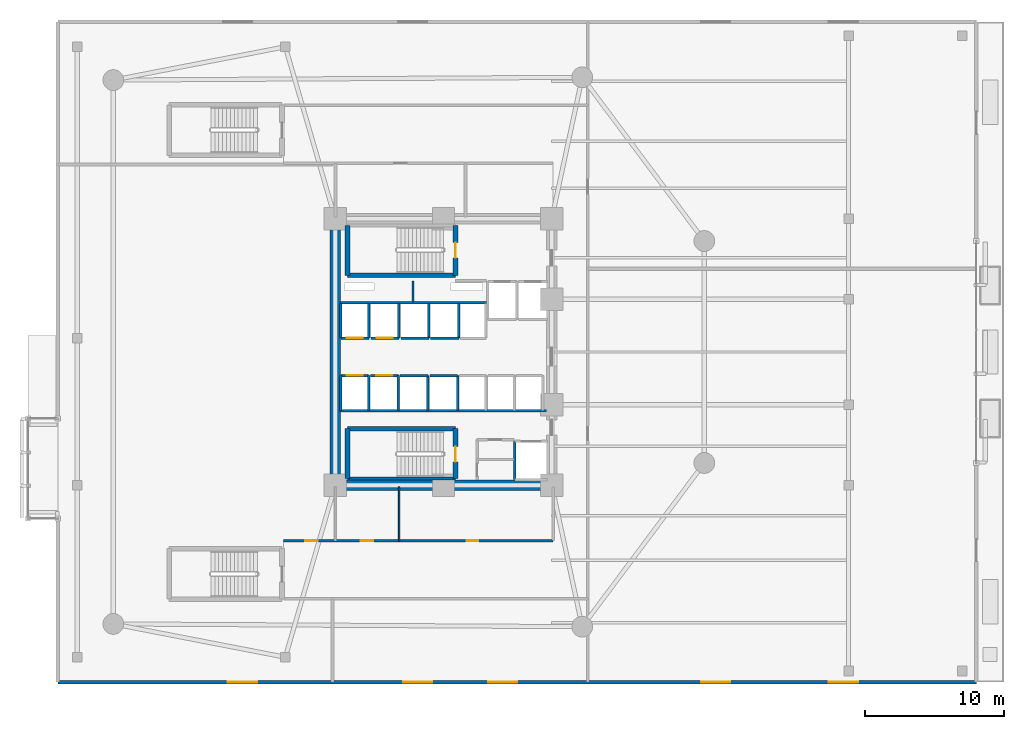
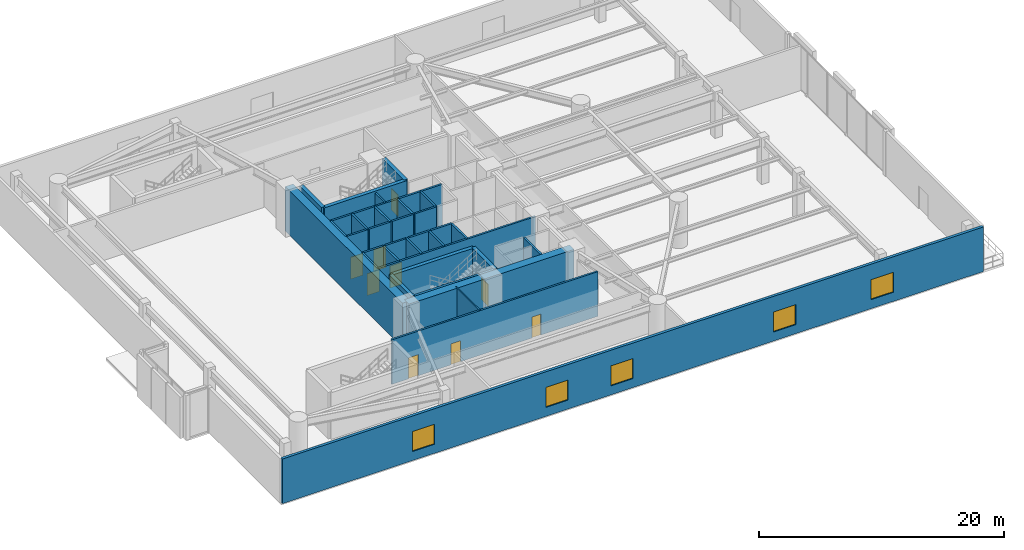
# One storey, part 9 of 15: 34 walls, 9 doors, 5 windows, 14 openings.
"""IFC4 building model written with IfcOpenShell, lengths in metres."""

from ifc_helpers import new_model, si_unit, direction, frame, frame_2d, origin, place, context, subcontext, project, spatial, rectangle, extrude, material, layer, layer_set, type_object, element, fill, save


model = new_model("IFC4")

# Units and contexts
model_context = context("Model", 3, precision=1e-05, world=origin(), true_north=direction((0.0, 1.0)))
body_context = subcontext(model_context, "Body", "Model", "MODEL_VIEW")
ifc_project = project(units=[si_unit("LENGTHUNIT", "METRE"), si_unit("AREAUNIT", "SQUARE_METRE"), si_unit("VOLUMEUNIT", "CUBIC_METRE"), si_unit("PLANEANGLEUNIT", "RADIAN"), si_unit("MASSUNIT", "GRAM", prefix="KILO")], contexts=[model_context])

# Site, building, storey
site_placement = place(None, origin())
site = spatial("IfcSite", under=ifc_project, at=site_placement, CompositionType="ELEMENT")
building_placement = place(site_placement, origin())
building = spatial("IfcBuilding", under=site, at=building_placement, Name="An Khanh Terracotta Commons", CompositionType="ELEMENT")
storey_placement = place(building_placement, frame((0.0, 0.0, 14.699951171875)))
storey = spatial("IfcBuildingStorey", under=building, at=storey_placement, Name="L04", CompositionType="ELEMENT", Elevation=14.699951171875)

# Walls
ifc_material_1 = material(Name="Concrete C70/85", Category="concrete")
ifc_layer_1 = layer(ifc_material_1, 0.75, Name="Concrete C70/85")
ifc_layer_set_1 = layer_set([ifc_layer_1], Name="Concrete C70/85")
wall_type_1 = type_object("IfcWallType", Name="WALL-CORE-750", PredefinedType="SHEAR", material=ifc_layer_set_1)
wall_1_placement = place(storey_placement, frame((21.60009765625, 14.39990234375, 0.0), z_axis=(0.0, 0.0, 1.0), x_axis=(0.0, 1.0, 0.0)))
element("IfcWall", 1, at=wall_1_placement, inside=storey, type_object=wall_type_1, Name="L04 Core Wall CWALL-L04-W", PredefinedType="SHEAR", context=body_context, shape_type="SweptSolid", body=[
    extrude(rectangle(XDim=19.2001953125, YDim=0.75, at=frame_2d((9.60009765625, 0.0))), origin(), (0.0, 0.0, 1.0), 4.449951171875),
])
wall_2_placement = place(storey_placement, frame((37.199951171875, 14.39990234375, 0.0), z_axis=(0.0, 0.0, 1.0), x_axis=(-1.0, 0.0, 0.0)))
element("IfcWall", 2, at=wall_2_placement, inside=storey, type_object=wall_type_1, Name="L04 Core Wall CWALL-L04-S", PredefinedType="SHEAR", context=body_context, shape_type="SweptSolid", body=[
    extrude(rectangle(XDim=15.599853515625, YDim=0.75, at=frame_2d((7.7998046875, 0.0))), origin(), (0.0, 0.0, 1.0), 4.449951171875),
])
ifc_material_2 = material(Name="Fire-Rated Gypsum Board on Steel Stud", Category="steel")
ifc_layer_2 = layer(ifc_material_2, 0.179931640625, Name="Fire-Rated Gypsum Board on Steel Stud")
ifc_layer_set_2 = layer_set([ifc_layer_2], Name="Fire-Rated Gypsum Board on Steel Stud")
wall_type_2 = type_object("IfcWallType", Name="WALL-CORR-180", PredefinedType="PARTITIONING", material=ifc_layer_set_2)
wall_3_placement = place(storey_placement, frame((21.949951171875, 27.5400390625, 0.0), z_axis=(0.0, 0.0, 1.0), x_axis=(1.0, 0.0, 0.0)))
element("IfcWall", 3, at=wall_3_placement, inside=storey, type_object=wall_type_2, Name="L04 Core Wall RSRW-L04-S", PredefinedType="PARTITIONING", context=body_context, shape_type="SweptSolid", body=[
    extrude(rectangle(XDim=10.56005859375, YDim=0.179931640625, at=frame_2d((5.280029296875, 0.0))), origin(), (0.0, 0.0, 1.0), 4.449951171875),
])
wall_4_placement = place(storey_placement, frame((21.949951171875, 19.760009765625, 0.0), z_axis=(0.0, 0.0, 1.0), x_axis=(1.0, 0.0, 0.0)))
element("IfcWall", 4, at=wall_4_placement, inside=storey, type_object=wall_type_2, Name="L04 Core Wall SVW-L04-N", PredefinedType="PARTITIONING", context=body_context, shape_type="SweptSolid", body=[
    extrude(rectangle(XDim=14.8701171875, YDim=0.179931640625, at=frame_2d((7.43505859375, 0.0))), origin(), (0.0, 0.0, 1.0), 4.449951171875),
])
wall_5_placement = place(storey_placement, frame((34.550048828125, 17.550048828125, 0.0), z_axis=(0.0, 0.0, 1.0), x_axis=(0.0, -1.0, 0.0)))
element("IfcWall", 5, at=wall_5_placement, inside=storey, type_object=wall_type_2, Name="L04 Core Wall LSH-L04-SVL-01-W", PredefinedType="PARTITIONING", context=body_context, shape_type="SweptSolid", body=[
    extrude(rectangle(XDim=2.75, YDim=0.179931640625, at=frame_2d((1.375, 0.0))), origin(), (0.0, 0.0, 1.0), 4.449951171875),
])

# Wall, opening, door
wall_6_placement = place(storey_placement, frame((24.02001953125, 25.0, 0.0), z_axis=(0.0, 0.0, 1.0), x_axis=(-1.0, 0.0, 0.0)))
wall_6 = element("IfcWall", 6, at=wall_6_placement, inside=storey, type_object=wall_type_2, Name="L04 Core Wall LSH-L04-PL-L1-S", PredefinedType="PARTITIONING", context=body_context, shape_type="SweptSolid", body=[
    extrude(rectangle(XDim=2.02001953125, YDim=0.179931640625, at=frame_2d((1.010009765625, 0.0))), origin(), (0.0, 0.0, 1.0), 4.449951171875),
])
opening_1_placement = place(wall_6_placement, frame((0.43505859375, 0.0, 0.0)))
opening_1 = element("IfcOpeningElement", 7, at=opening_1_placement, cuts=wall_6, Name="Opening LD-PL-L1-L04", PredefinedType="OPENING", context=body_context, shape_type="SweptSolid", body=[
    extrude(rectangle(XDim=1.14990234375, YDim=2.199951171875, at=frame_2d((0.574951171875, 1.10009765625))), frame((0.0, 0.099853515625, 0.0), z_axis=(0.0, -1.0, 0.0), x_axis=(1.0, 0.0, 0.0)), (0.0, 0.0, 1.0), 0.199951171875),
])
ifc_material_3 = material(Name="Brushed Stainless Steel Passenger Landing Door", Category="steel")
door_type_1 = type_object("IfcDoorType", Name="DOOR-LD-PAX-1150", OperationType="NOTDEFINED", PredefinedType="DOOR", material=ifc_material_3)
door_1_placement = place(opening_1_placement, origin())
door_1 = element("IfcDoor", 8, at=door_1_placement, inside=storey, type_object=door_type_1, Name="L04 Lift PL-L1 Sliding Landing Door", OperationType="DOUBLE_DOOR_SLIDING", OverallHeight=2.199951171875, OverallWidth=1.14990234375, PredefinedType="DOOR", context=body_context, shape_type="SweptSolid", body=[
    extrude(rectangle(XDim=1.14990234375, YDim=2.199951171875, at=frame_2d((0.574951171875, 1.10009765625))), frame((0.0, 0.02490234375, 0.0), z_axis=(0.0, -1.0, 0.0), x_axis=(1.0, 0.0, 0.0)), (0.0, 0.0, 1.0), 0.050048828125),
])
fill(opening_1, door_1)

# Walls
for number, where, z_axis, x_axis, name in (
    (9, (24.02001953125, 25.0, 0.0), (0.0, 0.0, 1.0), (0.0, 1.0, 0.0), "L04 Core Wall LSH-L04-PL-L1-E"),
    (10, (22.0, 27.5, 0.0), (0.0, 0.0, 1.0), (0.0, -1.0, 0.0), "L04 Core Wall LSH-L04-PL-L1-W"),
):
    element("IfcWall", number, at=place(storey_placement, frame(where, z_axis=z_axis, x_axis=x_axis)), inside=storey, type_object=wall_type_2, Name=name, PredefinedType="PARTITIONING", context=body_context, shape_type="SweptSolid", body=[
        extrude(rectangle(XDim=2.5, YDim=0.179931640625, at=frame_2d((1.25, 0.0))), origin(), (0.0, 0.0, 1.0), 4.449951171875),
    ])

# Wall, opening, door
wall_7_placement = place(storey_placement, frame((26.179931640625, 25.0, 0.0), z_axis=(0.0, 0.0, 1.0), x_axis=(-1.0, 0.0, 0.0)))
wall_7 = element("IfcWall", 11, at=wall_7_placement, inside=storey, type_object=wall_type_2, Name="L04 Core Wall LSH-L04-PL-L2-S", PredefinedType="PARTITIONING", context=body_context, shape_type="SweptSolid", body=[
    extrude(rectangle(XDim=2.02001953125, YDim=0.179931640625, at=frame_2d((1.010009765625, 0.0))), origin(), (0.0, 0.0, 1.0), 4.449951171875),
])
opening_2_placement = place(wall_7_placement, frame((0.43505859375, 0.0, 0.0)))
opening_2 = element("IfcOpeningElement", 12, at=opening_2_placement, cuts=wall_7, Name="Opening LD-PL-L2-L04", PredefinedType="OPENING", context=body_context, shape_type="SweptSolid", body=[
    extrude(rectangle(XDim=1.14990234375, YDim=2.199951171875, at=frame_2d((0.574951171875, 1.10009765625))), frame((0.0, 0.099853515625, 0.0), z_axis=(0.0, -1.0, 0.0), x_axis=(1.0, 0.0, 0.0)), (0.0, 0.0, 1.0), 0.199951171875),
])
door_2_placement = place(opening_2_placement, origin())
door_2 = element("IfcDoor", 13, at=door_2_placement, inside=storey, type_object=door_type_1, Name="L04 Lift PL-L2 Sliding Landing Door", OperationType="DOUBLE_DOOR_SLIDING", OverallHeight=2.199951171875, OverallWidth=1.14990234375, PredefinedType="DOOR", context=body_context, shape_type="SweptSolid", body=[
    extrude(rectangle(XDim=1.14990234375, YDim=2.199951171875, at=frame_2d((0.574951171875, 1.10009765625))), frame((0.0, 0.02490234375, 0.0), z_axis=(0.0, -1.0, 0.0), x_axis=(1.0, 0.0, 0.0)), (0.0, 0.0, 1.0), 0.050048828125),
])
fill(opening_2, door_2)

# Wall
wall_8_placement = place(storey_placement, frame((26.179931640625, 25.0, 0.0), z_axis=(0.0, 0.0, 1.0), x_axis=(0.0, 1.0, 0.0)))
element("IfcWall", 14, at=wall_8_placement, inside=storey, type_object=wall_type_2, Name="L04 Core Wall LSH-L04-PL-L2-E", PredefinedType="PARTITIONING", context=body_context, shape_type="SweptSolid", body=[
    extrude(rectangle(XDim=2.5, YDim=0.179931640625, at=frame_2d((1.25, 0.0))), origin(), (0.0, 0.0, 1.0), 4.449951171875),
])

# Wall, opening, door
wall_9_placement = place(storey_placement, frame((22.0, 22.300048828125, 0.0), z_axis=(0.0, 0.0, 1.0), x_axis=(1.0, 0.0, 0.0)))
wall_9 = element("IfcWall", 15, at=wall_9_placement, inside=storey, type_object=wall_type_2, Name="L04 Core Wall LSH-L04-PL-L3-N", PredefinedType="PARTITIONING", context=body_context, shape_type="SweptSolid", body=[
    extrude(rectangle(XDim=2.0, YDim=0.179931640625, at=frame_2d((1.0, 0.0))), origin(), (0.0, 0.0, 1.0), 4.449951171875),
])
opening_3_placement = place(wall_9_placement, frame((0.425048828125, 0.0, 0.0)))
opening_3 = element("IfcOpeningElement", 16, at=opening_3_placement, cuts=wall_9, Name="Opening LD-PL-L3-L04", PredefinedType="OPENING", context=body_context, shape_type="SweptSolid", body=[
    extrude(rectangle(XDim=1.14990234375, YDim=2.199951171875, at=frame_2d((0.574951171875, 1.10009765625))), frame((0.0, 0.099853515625, 0.0), z_axis=(0.0, -1.0, 0.0), x_axis=(1.0, 0.0, 0.0)), (0.0, 0.0, 1.0), 0.199951171875),
])
door_3_placement = place(opening_3_placement, origin())
door_3 = element("IfcDoor", 17, at=door_3_placement, inside=storey, type_object=door_type_1, Name="L04 Lift PL-L3 Sliding Landing Door", OperationType="DOUBLE_DOOR_SLIDING", OverallHeight=2.199951171875, OverallWidth=1.14990234375, PredefinedType="DOOR", context=body_context, shape_type="SweptSolid", body=[
    extrude(rectangle(XDim=1.14990234375, YDim=2.199951171875, at=frame_2d((0.574951171875, 1.10009765625))), frame((0.0, 0.02490234375, 0.0), z_axis=(0.0, -1.0, 0.0), x_axis=(1.0, 0.0, 0.0)), (0.0, 0.0, 1.0), 0.050048828125),
])
fill(opening_3, door_3)

# Walls
for number, where, z_axis, x_axis, name in (
    (18, (24.0, 19.800048828125, 0.0), (0.0, 0.0, 1.0), (0.0, 1.0, 0.0), "L04 Core Wall LSH-L04-PL-L3-E"),
    (19, (22.0, 22.300048828125, 0.0), (0.0, 0.0, 1.0), (0.0, -1.0, 0.0), "L04 Core Wall LSH-L04-PL-L3-W"),
):
    element("IfcWall", number, at=place(storey_placement, frame(where, z_axis=z_axis, x_axis=x_axis)), inside=storey, type_object=wall_type_2, Name=name, PredefinedType="PARTITIONING", context=body_context, shape_type="SweptSolid", body=[
        extrude(rectangle(XDim=2.5, YDim=0.179931640625, at=frame_2d((1.25, 0.0))), origin(), (0.0, 0.0, 1.0), 4.449951171875),
    ])

# Wall, opening, door
wall_10_placement = place(storey_placement, frame((24.139892578125, 22.300048828125, 0.0), z_axis=(0.0, 0.0, 1.0), x_axis=(1.0, 0.0, 0.0)))
wall_10 = element("IfcWall", 20, at=wall_10_placement, inside=storey, type_object=wall_type_2, Name="L04 Core Wall LSH-L04-PL-L4-N", PredefinedType="PARTITIONING", context=body_context, shape_type="SweptSolid", body=[
    extrude(rectangle(XDim=2.0, YDim=0.179931640625, at=frame_2d((1.0, 0.0))), origin(), (0.0, 0.0, 1.0), 4.449951171875),
])
opening_4_placement = place(wall_10_placement, frame((0.425048828125, 0.0, 0.0)))
opening_4 = element("IfcOpeningElement", 21, at=opening_4_placement, cuts=wall_10, Name="Opening LD-PL-L4-L04", PredefinedType="OPENING", context=body_context, shape_type="SweptSolid", body=[
    extrude(rectangle(XDim=1.14990234375, YDim=2.199951171875, at=frame_2d((0.574951171875, 1.10009765625))), frame((0.0, 0.099853515625, 0.0), z_axis=(0.0, -1.0, 0.0), x_axis=(1.0, 0.0, 0.0)), (0.0, 0.0, 1.0), 0.199951171875),
])
door_4_placement = place(opening_4_placement, origin())
door_4 = element("IfcDoor", 22, at=door_4_placement, inside=storey, type_object=door_type_1, Name="L04 Lift PL-L4 Sliding Landing Door", OperationType="DOUBLE_DOOR_SLIDING", OverallHeight=2.199951171875, OverallWidth=1.14990234375, PredefinedType="DOOR", context=body_context, shape_type="SweptSolid", body=[
    extrude(rectangle(XDim=1.14990234375, YDim=2.199951171875, at=frame_2d((0.574951171875, 1.10009765625))), frame((0.0, 0.02490234375, 0.0), z_axis=(0.0, -1.0, 0.0), x_axis=(1.0, 0.0, 0.0)), (0.0, 0.0, 1.0), 0.050048828125),
])
fill(opening_4, door_4)

# Walls
wall_11_placement = place(storey_placement, frame((26.139892578125, 19.800048828125, 0.0), z_axis=(0.0, 0.0, 1.0), x_axis=(0.0, 1.0, 0.0)))
element("IfcWall", 23, at=wall_11_placement, inside=storey, type_object=wall_type_2, Name="L04 Core Wall LSH-L04-PL-L4-E", PredefinedType="PARTITIONING", context=body_context, shape_type="SweptSolid", body=[
    extrude(rectangle(XDim=2.5, YDim=0.179931640625, at=frame_2d((1.25, 0.0))), origin(), (0.0, 0.0, 1.0), 4.449951171875),
])
wall_12_placement = place(storey_placement, frame((28.340087890625, 25.0, 0.0), z_axis=(0.0, 0.0, 1.0), x_axis=(-1.0, 0.0, 0.0)))
element("IfcWall", 24, at=wall_12_placement, inside=storey, type_object=wall_type_2, Name="L04 Core Wall LSH-L04-PL-M1-S", PredefinedType="PARTITIONING", context=body_context, shape_type="SweptSolid", body=[
    extrude(rectangle(XDim=2.02001953125, YDim=0.179931640625, at=frame_2d((1.010009765625, 0.0))), origin(), (0.0, 0.0, 1.0), 4.449951171875),
])
wall_13_placement = place(storey_placement, frame((28.340087890625, 25.0, 0.0), z_axis=(0.0, 0.0, 1.0), x_axis=(0.0, 1.0, 0.0)))
element("IfcWall", 25, at=wall_13_placement, inside=storey, type_object=wall_type_2, Name="L04 Core Wall LSH-L04-PL-M1-E", PredefinedType="PARTITIONING", context=body_context, shape_type="SweptSolid", body=[
    extrude(rectangle(XDim=2.5, YDim=0.179931640625, at=frame_2d((1.25, 0.0))), origin(), (0.0, 0.0, 1.0), 4.449951171875),
])
wall_14_placement = place(storey_placement, frame((30.5, 25.0, 0.0), z_axis=(0.0, 0.0, 1.0), x_axis=(-1.0, 0.0, 0.0)))
element("IfcWall", 26, at=wall_14_placement, inside=storey, type_object=wall_type_2, Name="L04 Core Wall LSH-L04-PL-M2-S", PredefinedType="PARTITIONING", context=body_context, shape_type="SweptSolid", body=[
    extrude(rectangle(XDim=2.02001953125, YDim=0.179931640625, at=frame_2d((1.010009765625, 0.0))), origin(), (0.0, 0.0, 1.0), 4.449951171875),
])
wall_15_placement = place(storey_placement, frame((30.5, 25.0, 0.0), z_axis=(0.0, 0.0, 1.0), x_axis=(0.0, 1.0, 0.0)))
element("IfcWall", 27, at=wall_15_placement, inside=storey, type_object=wall_type_2, Name="L04 Core Wall LSH-L04-PL-M2-E", PredefinedType="PARTITIONING", context=body_context, shape_type="SweptSolid", body=[
    extrude(rectangle(XDim=2.5, YDim=0.179931640625, at=frame_2d((1.25, 0.0))), origin(), (0.0, 0.0, 1.0), 4.449951171875),
])
wall_16_placement = place(storey_placement, frame((26.280029296875, 22.300048828125, 0.0), z_axis=(0.0, 0.0, 1.0), x_axis=(1.0, 0.0, 0.0)))
element("IfcWall", 28, at=wall_16_placement, inside=storey, type_object=wall_type_2, Name="L04 Core Wall LSH-L04-PL-M3-N", PredefinedType="PARTITIONING", context=body_context, shape_type="SweptSolid", body=[
    extrude(rectangle(XDim=2.0, YDim=0.179931640625, at=frame_2d((1.0, 0.0))), origin(), (0.0, 0.0, 1.0), 4.449951171875),
])
wall_17_placement = place(storey_placement, frame((28.280029296875, 19.800048828125, 0.0), z_axis=(0.0, 0.0, 1.0), x_axis=(0.0, 1.0, 0.0)))
element("IfcWall", 29, at=wall_17_placement, inside=storey, type_object=wall_type_2, Name="L04 Core Wall LSH-L04-PL-M3-E", PredefinedType="PARTITIONING", context=body_context, shape_type="SweptSolid", body=[
    extrude(rectangle(XDim=2.5, YDim=0.179931640625, at=frame_2d((1.25, 0.0))), origin(), (0.0, 0.0, 1.0), 4.449951171875),
])
wall_18_placement = place(storey_placement, frame((28.419921875, 22.300048828125, 0.0), z_axis=(0.0, 0.0, 1.0), x_axis=(1.0, 0.0, 0.0)))
element("IfcWall", 30, at=wall_18_placement, inside=storey, type_object=wall_type_2, Name="L04 Core Wall LSH-L04-PL-M4-N", PredefinedType="PARTITIONING", context=body_context, shape_type="SweptSolid", body=[
    extrude(rectangle(XDim=2.0, YDim=0.179931640625, at=frame_2d((1.0, 0.0))), origin(), (0.0, 0.0, 1.0), 4.449951171875),
])
wall_19_placement = place(storey_placement, frame((30.419921875, 19.800048828125, 0.0), z_axis=(0.0, 0.0, 1.0), x_axis=(0.0, 1.0, 0.0)))
element("IfcWall", 31, at=wall_19_placement, inside=storey, type_object=wall_type_2, Name="L04 Core Wall LSH-L04-PL-M4-E", PredefinedType="PARTITIONING", context=body_context, shape_type="SweptSolid", body=[
    extrude(rectangle(XDim=2.5, YDim=0.179931640625, at=frame_2d((1.25, 0.0))), origin(), (0.0, 0.0, 1.0), 4.449951171875),
])

# Wall, openings, doors
wall_20_placement = place(storey_placement, frame((17.85009765625, 10.39990234375, 0.0), z_axis=(0.0, 0.0, 1.0), x_axis=(1.0, 0.0, 0.0)))
wall_20 = element("IfcWall", 32, at=wall_20_placement, inside=storey, type_object=wall_type_2, Name="L04 Interior Partition IW-L04-E002", PredefinedType="PARTITIONING", context=body_context, shape_type="SweptSolid", body=[
    extrude(rectangle(XDim=19.449951171875, YDim=0.179931640625, at=frame_2d((9.72509765625, 0.0))), origin(), (0.0, 0.0, 1.0), 4.449951171875),
])
opening_5_placement = place(wall_20_placement, frame((1.574951171875, 0.0, 0.0)))
opening_5 = element("IfcOpeningElement", 33, at=opening_5_placement, cuts=wall_20, Name="Opening D-RM", PredefinedType="OPENING", context=body_context, shape_type="SweptSolid", body=[
    extrude(rectangle(XDim=0.919921875, YDim=2.10009765625, at=frame_2d((0.4599609375, 1.050048828125))), frame((0.0, 0.099853515625, 0.0), z_axis=(0.0, -1.0, 0.0), x_axis=(1.0, 0.0, 0.0)), (0.0, 0.0, 1.0), 0.199951171875),
])
opening_6_placement = place(wall_20_placement, frame((5.60009765625, 0.0, 0.0)))
opening_6 = element("IfcOpeningElement", 34, at=opening_6_placement, cuts=wall_20, Name="Opening D-WC", PredefinedType="OPENING", context=body_context, shape_type="SweptSolid", body=[
    extrude(rectangle(XDim=0.89990234375, YDim=2.10009765625, at=frame_2d((0.449951171875, 1.050048828125))), frame((0.0, 0.099853515625, 0.0), z_axis=(0.0, -1.0, 0.0), x_axis=(1.0, 0.0, 0.0)), (0.0, 0.0, 1.0), 0.199951171875),
])
opening_7_placement = place(wall_20_placement, frame((13.2099609375, 0.0, 0.0)))
opening_7 = element("IfcOpeningElement", 35, at=opening_7_placement, cuts=wall_20, Name="Opening D-ENS", PredefinedType="OPENING", context=body_context, shape_type="SweptSolid", body=[
    extrude(rectangle(XDim=0.860107421875, YDim=2.10009765625, at=frame_2d((0.43017578125, 1.050048828125))), frame((0.0, 0.099853515625, 0.0), z_axis=(0.0, -1.0, 0.0), x_axis=(1.0, 0.0, 0.0)), (0.0, 0.0, 1.0), 0.199951171875),
])
ifc_material_4 = material(Name="Moisture-Resistant Hardwood Timber Leaf", Category="wood")
door_type_2 = type_object("IfcDoorType", Name="DOOR-BATH-860", OperationType="NOTDEFINED", PredefinedType="DOOR", material=ifc_material_4)
door_5_placement = place(opening_7_placement, origin())
door_5 = element("IfcDoor", 36, at=door_5_placement, inside=storey, type_object=door_type_2, Name="L04 WCB Podium Public Washroom Block Door", OperationType="SINGLE_SWING_RIGHT", OverallHeight=2.10009765625, OverallWidth=0.860107421875, PredefinedType="DOOR", context=body_context, shape_type="SweptSolid", body=[
    extrude(rectangle(XDim=0.860107421875, YDim=2.10009765625, at=frame_2d((0.43017578125, 1.050048828125))), frame((0.0, 0.02490234375, 0.0), z_axis=(0.0, -1.0, 0.0), x_axis=(1.0, 0.0, 0.0)), (0.0, 0.0, 1.0), 0.050048828125),
])
fill(opening_7, door_5)
ifc_material_5 = material(Name="Engineered Hardwood Timber Leaf", Category="wood")
door_type_3 = type_object("IfcDoorType", Name="DOOR-INT-920", OperationType="NOTDEFINED", PredefinedType="DOOR", material=ifc_material_5)
door_6_placement = place(opening_5_placement, origin())
door_6 = element("IfcDoor", 37, at=door_6_placement, inside=storey, type_object=door_type_3, Name="L04 MKR Architecture Maker Workshop Door", OperationType="SINGLE_SWING_RIGHT", OverallHeight=2.10009765625, OverallWidth=0.919921875, PredefinedType="DOOR", context=body_context, shape_type="SweptSolid", body=[
    extrude(rectangle(XDim=0.919921875, YDim=2.10009765625, at=frame_2d((0.4599609375, 1.050048828125))), frame((0.0, 0.02490234375, 0.0), z_axis=(0.0, -1.0, 0.0), x_axis=(1.0, 0.0, 0.0)), (0.0, 0.0, 1.0), 0.050048828125),
])
fill(opening_5, door_6)
ifc_material_6 = material(Name="Laminate Moisture-Resistant Timber Leaf", Category="wood")
door_type_4 = type_object("IfcDoorType", Name="DOOR-WC-900", OperationType="NOTDEFINED", PredefinedType="DOOR", material=ifc_material_6)
door_7_placement = place(opening_6_placement, origin())
door_7 = element("IfcDoor", 38, at=door_7_placement, inside=storey, type_object=door_type_4, Name="L04 AWC Public Accessible WC Door", OperationType="SINGLE_SWING_LEFT", OverallHeight=2.10009765625, OverallWidth=0.89990234375, PredefinedType="DOOR", context=body_context, shape_type="SweptSolid", body=[
    extrude(rectangle(XDim=0.89990234375, YDim=2.10009765625, at=frame_2d((0.449951171875, 1.050048828125))), frame((0.0, 0.02490234375, 0.0), z_axis=(0.0, -1.0, 0.0), x_axis=(1.0, 0.0, 0.0)), (0.0, 0.0, 1.0), 0.050048828125),
])
fill(opening_6, door_7)

# Walls
ifc_material_7 = material(Name="Acoustic Gypsum Board Partition")
ifc_layer_3 = layer(ifc_material_7, 0.14990234375, Name="Acoustic Gypsum Board Partition")
ifc_layer_set_3 = layer_set([ifc_layer_3], Name="Acoustic Gypsum Board Partition")
wall_type_3 = type_object("IfcWallType", Name="WALL-PART-150", PredefinedType="PARTITIONING", material=ifc_layer_set_3)
wall_21_placement = place(storey_placement, frame((27.199951171875, 27.60009765625, 0.0), z_axis=(0.0, 0.0, 1.0), x_axis=(0.0, 1.0, 0.0)))
element("IfcWall", 39, at=wall_21_placement, inside=storey, type_object=wall_type_3, Name="L04 Core Wall RSRW-L04-D1", PredefinedType="PARTITIONING", context=body_context, shape_type="SweptSolid", body=[
    extrude(rectangle(XDim=1.52001953125, YDim=0.14990234375, at=frame_2d((0.760009765625, 0.0))), origin(), (0.0, 0.0, 1.0), 4.449951171875),
])
ifc_material_8 = material(Name="Acoustic Double-Stud Gypsum and Mineral Wool")
ifc_layer_4 = layer(ifc_material_8, 0.219970703125, Name="Acoustic Double-Stud Gypsum and Mineral Wool")
ifc_layer_set_4 = layer_set([ifc_layer_4], Name="Acoustic Double-Stud Gypsum and Mineral Wool")
wall_type_4 = type_object("IfcWallType", Name="WALL-PARTY-220", PredefinedType="PARTITIONING", material=ifc_layer_set_4)
wall_22_placement = place(storey_placement, frame((22.47998046875, 14.889892578125, 0.0), z_axis=(0.0, 0.0, 1.0), x_axis=(1.0, 0.0, 0.0)))
element("IfcWall", 40, at=wall_22_placement, inside=storey, type_object=wall_type_4, Name="L04 Core Wall STW-L04-S-S", PredefinedType="PARTITIONING", context=body_context, shape_type="SweptSolid", body=[
    extrude(rectangle(XDim=7.7900390625, YDim=0.219970703125, at=frame_2d((3.89501953125, 0.0))), origin(), (0.0, 0.0, 1.0), 4.449951171875),
])

# Wall, openings, windows
ifc_material_9 = material(Name="Concrete C40/50", Category="concrete")
ifc_layer_5 = layer(ifc_material_9, 0.260009765625, Name="Concrete C40/50")
ifc_layer_set_5 = layer_set([ifc_layer_5], Name="Concrete C40/50")
wall_type_5 = type_object("IfcWallType", Name="WALL-POD-260", PredefinedType="SOLIDWALL", material=ifc_layer_set_5)
wall_23_placement = place(storey_placement, frame((67.800048828125, 0.199951171875, 0.0), z_axis=(0.0, 0.0, 1.0), x_axis=(-1.0, 0.0, 0.0)))
wall_23 = element("IfcWall", 41, at=wall_23_placement, inside=storey, type_object=wall_type_5, Name="L04 South Exterior Wall", PredefinedType="SOLIDWALL", context=body_context, shape_type="SweptSolid", body=[
    extrude(rectangle(XDim=66.199951171875, YDim=0.260009765625, at=frame_2d((33.10009765625, 0.0))), origin(), (0.0, 0.0, 1.0), 4.449951171875),
])
opening_8_placement = place(wall_23_placement, frame((8.51708984375, 0.0, 0.89990234375)))
opening_8 = element("IfcOpeningElement", 42, at=opening_8_placement, cuts=wall_23, Name="Opening W-09", PredefinedType="OPENING", context=body_context, shape_type="SweptSolid", body=[
    extrude(rectangle(XDim=2.10009765625, YDim=2.0, at=frame_2d((1.050048828125, 1.0))), frame((0.0, 0.139892578125, 0.0), z_axis=(0.0, -1.0, 0.0), x_axis=(1.0, 0.0, 0.0)), (0.0, 0.0, 1.0), 0.280029296875),
])
opening_9_placement = place(wall_23_placement, frame((17.73291015625, 0.0, 0.89990234375)))
opening_9 = element("IfcOpeningElement", 43, at=opening_9_placement, cuts=wall_23, Name="Opening W-09", PredefinedType="OPENING", context=body_context, shape_type="SweptSolid", body=[
    extrude(rectangle(XDim=2.10009765625, YDim=2.0, at=frame_2d((1.050048828125, 1.0))), frame((0.0, 0.139892578125, 0.0), z_axis=(0.0, -1.0, 0.0), x_axis=(1.0, 0.0, 0.0)), (0.0, 0.0, 1.0), 0.280029296875),
])
opening_10_placement = place(wall_23_placement, frame((33.0830078125, 0.0, 0.89990234375)))
opening_10 = element("IfcOpeningElement", 44, at=opening_10_placement, cuts=wall_23, Name="Opening W-09", PredefinedType="OPENING", context=body_context, shape_type="SweptSolid", body=[
    extrude(rectangle(XDim=2.10009765625, YDim=2.0, at=frame_2d((1.050048828125, 1.0))), frame((0.0, 0.139892578125, 0.0), z_axis=(0.0, -1.0, 0.0), x_axis=(1.0, 0.0, 0.0)), (0.0, 0.0, 1.0), 0.280029296875),
])
opening_11_placement = place(wall_23_placement, frame((39.217041015625, 0.0, 0.89990234375)))
opening_11 = element("IfcOpeningElement", 45, at=opening_11_placement, cuts=wall_23, Name="Opening W-09", PredefinedType="OPENING", context=body_context, shape_type="SweptSolid", body=[
    extrude(rectangle(XDim=2.10009765625, YDim=2.0, at=frame_2d((1.050048828125, 1.0))), frame((0.0, 0.139892578125, 0.0), z_axis=(0.0, -1.0, 0.0), x_axis=(1.0, 0.0, 0.0)), (0.0, 0.0, 1.0), 0.280029296875),
])
opening_12_placement = place(wall_23_placement, frame((51.8330078125, 0.0, 0.89990234375)))
opening_12 = element("IfcOpeningElement", 46, at=opening_12_placement, cuts=wall_23, Name="Opening W-09", PredefinedType="OPENING", context=body_context, shape_type="SweptSolid", body=[
    extrude(rectangle(XDim=2.10009765625, YDim=2.0, at=frame_2d((1.050048828125, 1.0))), frame((0.0, 0.139892578125, 0.0), z_axis=(0.0, -1.0, 0.0), x_axis=(1.0, 0.0, 0.0)), (0.0, 0.0, 1.0), 0.280029296875),
])
ifc_material_10 = material(Name="Thermally Broken Aluminium and Low-E Glass", Category="aluminium")
window_type = type_object("IfcWindowType", Name="WIN-POD-2100x2000", PartitioningType="DOUBLE_PANEL_VERTICAL", PredefinedType="WINDOW", material=ifc_material_10)
window_1_placement = place(opening_8_placement, origin())
window_1 = element("IfcWindow", 47, at=window_1_placement, inside=storey, type_object=window_type, Name="L04 South Podium Window 1", OverallHeight=2.0, OverallWidth=2.10009765625, PartitioningType="DOUBLE_PANEL_VERTICAL", PredefinedType="WINDOW", context=body_context, shape_type="SweptSolid", body=[
    extrude(rectangle(XDim=2.10009765625, YDim=2.0, at=frame_2d((1.050048828125, 1.0))), frame((0.0, 0.030029296875, 0.0), z_axis=(0.0, -1.0, 0.0), x_axis=(1.0, 0.0, 0.0)), (0.0, 0.0, 1.0), 0.06005859375),
])
fill(opening_8, window_1)
window_2_placement = place(opening_9_placement, origin())
window_2 = element("IfcWindow", 48, at=window_2_placement, inside=storey, type_object=window_type, Name="L04 South Podium Window 2", OverallHeight=2.0, OverallWidth=2.10009765625, PartitioningType="DOUBLE_PANEL_VERTICAL", PredefinedType="WINDOW", context=body_context, shape_type="SweptSolid", body=[
    extrude(rectangle(XDim=2.10009765625, YDim=2.0, at=frame_2d((1.050048828125, 1.0))), frame((0.0, 0.030029296875, 0.0), z_axis=(0.0, -1.0, 0.0), x_axis=(1.0, 0.0, 0.0)), (0.0, 0.0, 1.0), 0.06005859375),
])
fill(opening_9, window_2)
window_3_placement = place(opening_10_placement, origin())
window_3 = element("IfcWindow", 49, at=window_3_placement, inside=storey, type_object=window_type, Name="L04 South Podium Window 3", OverallHeight=2.0, OverallWidth=2.10009765625, PartitioningType="DOUBLE_PANEL_VERTICAL", PredefinedType="WINDOW", context=body_context, shape_type="SweptSolid", body=[
    extrude(rectangle(XDim=2.10009765625, YDim=2.0, at=frame_2d((1.050048828125, 1.0))), frame((0.0, 0.030029296875, 0.0), z_axis=(0.0, -1.0, 0.0), x_axis=(1.0, 0.0, 0.0)), (0.0, 0.0, 1.0), 0.06005859375),
])
fill(opening_10, window_3)
window_4_placement = place(opening_11_placement, origin())
window_4 = element("IfcWindow", 50, at=window_4_placement, inside=storey, type_object=window_type, Name="L04 South Podium Window 4", OverallHeight=2.0, OverallWidth=2.10009765625, PartitioningType="DOUBLE_PANEL_VERTICAL", PredefinedType="WINDOW", context=body_context, shape_type="SweptSolid", body=[
    extrude(rectangle(XDim=2.10009765625, YDim=2.0, at=frame_2d((1.050048828125, 1.0))), frame((0.0, 0.030029296875, 0.0), z_axis=(0.0, -1.0, 0.0), x_axis=(1.0, 0.0, 0.0)), (0.0, 0.0, 1.0), 0.06005859375),
])
fill(opening_11, window_4)
window_5_placement = place(opening_12_placement, origin())
window_5 = element("IfcWindow", 51, at=window_5_placement, inside=storey, type_object=window_type, Name="L04 South Podium Window 5", OverallHeight=2.0, OverallWidth=2.10009765625, PartitioningType="DOUBLE_PANEL_VERTICAL", PredefinedType="WINDOW", context=body_context, shape_type="SweptSolid", body=[
    extrude(rectangle(XDim=2.10009765625, YDim=2.0, at=frame_2d((1.050048828125, 1.0))), frame((0.0, 0.030029296875, 0.0), z_axis=(0.0, -1.0, 0.0), x_axis=(1.0, 0.0, 0.0)), (0.0, 0.0, 1.0), 0.06005859375),
])
fill(opening_12, window_5)

# Walls
ifc_material_11 = material(Name="Concrete C50/60", Category="concrete")
ifc_layer_6 = layer(ifc_material_11, 0.35009765625, Name="Concrete C50/60")
ifc_layer_set_6 = layer_set([ifc_layer_6], Name="Concrete C50/60")
wall_type_6 = type_object("IfcWallType", Name="WALL-SHAFT-350", PredefinedType="SOLIDWALL", material=ifc_layer_set_6)
wall_24_placement = place(storey_placement, frame((22.47998046875, 29.530029296875, 0.0), z_axis=(0.0, 0.0, 1.0), x_axis=(1.0, 0.0, 0.0)))
element("IfcWall", 52, at=wall_24_placement, inside=storey, type_object=wall_type_6, Name="L04 Core Wall STW-L04-N-S", PredefinedType="SOLIDWALL", context=body_context, shape_type="SweptSolid", body=[
    extrude(rectangle(XDim=7.7900390625, YDim=0.35009765625, at=frame_2d((3.89501953125, 0.0))), origin(), (0.0, 0.0, 1.0), 4.449951171875),
])
wall_25_placement = place(storey_placement, frame((22.47998046875, 29.530029296875, 0.0), z_axis=(0.0, 0.0, 1.0), x_axis=(0.0, 1.0, 0.0)))
element("IfcWall", 53, at=wall_25_placement, inside=storey, type_object=wall_type_6, Name="L04 Core Wall STW-L04-N-W", PredefinedType="SOLIDWALL", context=body_context, shape_type="SweptSolid", body=[
    extrude(rectangle(XDim=3.580078125, YDim=0.35009765625, at=frame_2d((1.7900390625, 0.0))), origin(), (0.0, 0.0, 1.0), 4.449951171875),
])

# Wall, opening, door
wall_26_placement = place(storey_placement, frame((30.27001953125, 29.530029296875, 0.0), z_axis=(0.0, 0.0, 1.0), x_axis=(0.0, 1.0, 0.0)))
wall_26 = element("IfcWall", 54, at=wall_26_placement, inside=storey, type_object=wall_type_6, Name="L04 Core Wall STW-L04-N-E", PredefinedType="SOLIDWALL", context=body_context, shape_type="SweptSolid", body=[
    extrude(rectangle(XDim=3.580078125, YDim=0.35009765625, at=frame_2d((1.7900390625, 0.0))), origin(), (0.0, 0.0, 1.0), 4.449951171875),
])
opening_13_placement = place(wall_26_placement, frame((1.25, 0.0, 0.0)))
opening_13 = element("IfcOpeningElement", 55, at=opening_13_placement, cuts=wall_26, Name="Opening D-ST", PredefinedType="OPENING", context=body_context, shape_type="SweptSolid", body=[
    extrude(rectangle(XDim=1.10009765625, YDim=2.14990234375, at=frame_2d((0.550048828125, 1.074951171875))), frame((0.0, 0.18505859375, 0.0), z_axis=(0.0, -1.0, 0.0), x_axis=(1.0, 0.0, 0.0)), (0.0, 0.0, 1.0), 0.3701171875),
])
ifc_material_12 = material(Name="Fire-Rated Steel Leaf and Frame", Category="steel")
door_type_5 = type_object("IfcDoorType", Name="DOOR-STAIR-1100", OperationType="NOTDEFINED", PredefinedType="DOOR", material=ifc_material_12)
door_8_placement = place(opening_13_placement, origin())
door_8 = element("IfcDoor", 56, at=door_8_placement, inside=storey, type_object=door_type_5, Name="L04 Stair ST-01 Fire Door", OperationType="SINGLE_SWING_RIGHT", OverallHeight=2.14990234375, OverallWidth=1.10009765625, PredefinedType="DOOR", context=body_context, shape_type="SweptSolid", body=[
    extrude(rectangle(XDim=1.10009765625, YDim=2.14990234375, at=frame_2d((0.550048828125, 1.074951171875))), frame((0.0, 0.02490234375, 0.0), z_axis=(0.0, -1.0, 0.0), x_axis=(1.0, 0.0, 0.0)), (0.0, 0.0, 1.0), 0.050048828125),
])
fill(opening_13, door_8)

# Walls
wall_27_placement = place(storey_placement, frame((22.47998046875, 18.469970703125, 0.0), z_axis=(0.0, 0.0, 1.0), x_axis=(1.0, 0.0, 0.0)))
element("IfcWall", 57, at=wall_27_placement, inside=storey, type_object=wall_type_6, Name="L04 Core Wall STW-L04-S-N", PredefinedType="SOLIDWALL", context=body_context, shape_type="SweptSolid", body=[
    extrude(rectangle(XDim=7.7900390625, YDim=0.35009765625, at=frame_2d((3.89501953125, 0.0))), origin(), (0.0, 0.0, 1.0), 4.449951171875),
])
wall_28_placement = place(storey_placement, frame((22.47998046875, 14.889892578125, 0.0), z_axis=(0.0, 0.0, 1.0), x_axis=(0.0, 1.0, 0.0)))
element("IfcWall", 58, at=wall_28_placement, inside=storey, type_object=wall_type_6, Name="L04 Core Wall STW-L04-S-W", PredefinedType="SOLIDWALL", context=body_context, shape_type="SweptSolid", body=[
    extrude(rectangle(XDim=3.580078125, YDim=0.35009765625, at=frame_2d((1.7900390625, 0.0))), origin(), (0.0, 0.0, 1.0), 4.449951171875),
])

# Wall, opening, door
wall_29_placement = place(storey_placement, frame((30.27001953125, 14.889892578125, 0.0), z_axis=(0.0, 0.0, 1.0), x_axis=(0.0, 1.0, 0.0)))
wall_29 = element("IfcWall", 59, at=wall_29_placement, inside=storey, type_object=wall_type_6, Name="L04 Core Wall STW-L04-S-E", PredefinedType="SOLIDWALL", context=body_context, shape_type="SweptSolid", body=[
    extrude(rectangle(XDim=3.580078125, YDim=0.35009765625, at=frame_2d((1.7900390625, 0.0))), origin(), (0.0, 0.0, 1.0), 4.449951171875),
])
opening_14_placement = place(wall_29_placement, frame((1.18994140625, 0.0, 0.0)))
opening_14 = element("IfcOpeningElement", 60, at=opening_14_placement, cuts=wall_29, Name="Opening D-ST", PredefinedType="OPENING", context=body_context, shape_type="SweptSolid", body=[
    extrude(rectangle(XDim=1.10009765625, YDim=2.14990234375, at=frame_2d((0.550048828125, 1.074951171875))), frame((0.0, 0.18505859375, 0.0), z_axis=(0.0, -1.0, 0.0), x_axis=(1.0, 0.0, 0.0)), (0.0, 0.0, 1.0), 0.3701171875),
])
door_9_placement = place(opening_14_placement, origin())
door_9 = element("IfcDoor", 61, at=door_9_placement, inside=storey, type_object=door_type_5, Name="L04 Stair ST-02 Fire Door", OperationType="SINGLE_SWING_LEFT", OverallHeight=2.14990234375, OverallWidth=1.10009765625, PredefinedType="DOOR", context=body_context, shape_type="SweptSolid", body=[
    extrude(rectangle(XDim=1.10009765625, YDim=2.14990234375, at=frame_2d((0.550048828125, 1.074951171875))), frame((0.0, 0.02490234375, 0.0), z_axis=(0.0, -1.0, 0.0), x_axis=(1.0, 0.0, 0.0)), (0.0, 0.0, 1.0), 0.050048828125),
])
fill(opening_14, door_9)

# Wall
ifc_material_13 = material(Name="Moisture-Resistant Cement Board Partition")
ifc_layer_7 = layer(ifc_material_13, 0.1201171875, Name="Moisture-Resistant Cement Board Partition")
ifc_layer_set_7 = layer_set([ifc_layer_7], Name="Moisture-Resistant Cement Board Partition")
wall_type_7 = type_object("IfcWallType", Name="WALL-WET-120", PredefinedType="PARTITIONING", material=ifc_layer_set_7)
wall_30_placement = place(storey_placement, frame((26.199951171875, 10.39990234375, 0.0), z_axis=(0.0, 0.0, 1.0), x_axis=(0.0, 1.0, 0.0)))
element("IfcWall", 62, at=wall_30_placement, inside=storey, type_object=wall_type_7, Name="L04 Interior Partition IW-L04-E010", PredefinedType="PARTITIONING", context=body_context, shape_type="SweptSolid", body=[
    extrude(rectangle(XDim=3.880126953125, YDim=0.1201171875, at=frame_2d((1.93994140625, 0.0))), origin(), (0.0, 0.0, 1.0), 4.449951171875),
])

save(model, "model.ifc")
